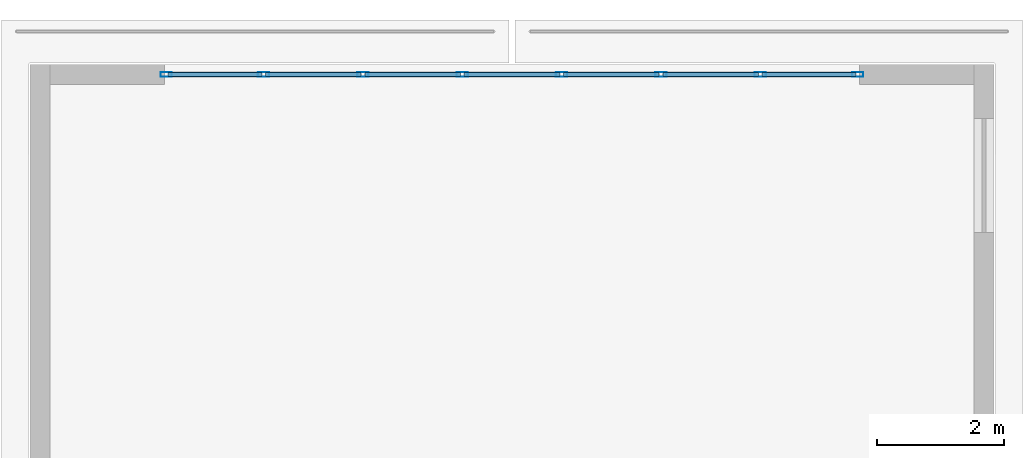
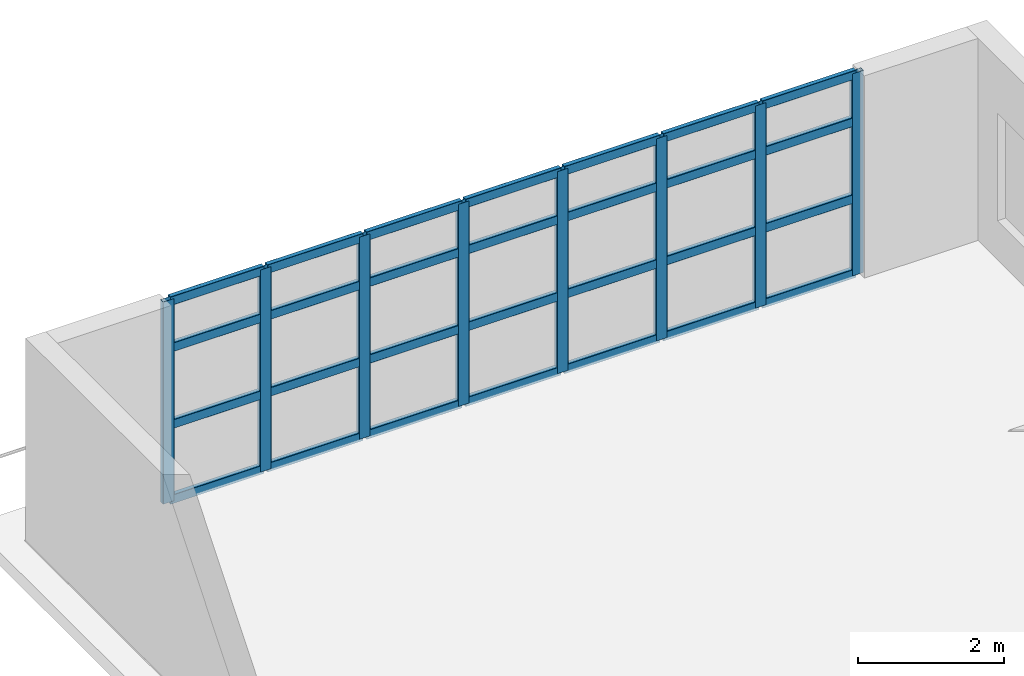
# One storey, part 12 of 24: 36 members, 1 element without a shape of its own.
"""IFC4 building model written with IfcOpenShell, lengths in metres."""

from ifc_helpers import new_model, si_unit, direction, frame, origin, origin_2d, place, context, subcontext, project, spatial, hollow_rectangle, extrude, material, layer, layer_set, material_profile, profile_set, type_object, element, aggregate, save


model = new_model("IFC4")

# Units and contexts
model_context = context("Model", 3, precision=1e-05, world=origin(), true_north=direction((0.0, 1.0)))
body_context = subcontext(model_context, "Body", "Model", "MODEL_VIEW")
ifc_project = project(units=[si_unit("LENGTHUNIT", "METRE"), si_unit("AREAUNIT", "SQUARE_METRE"), si_unit("VOLUMEUNIT", "CUBIC_METRE"), si_unit("PLANEANGLEUNIT", "RADIAN"), si_unit("MASSUNIT", "GRAM", prefix="KILO")], contexts=[model_context])

# Site, building, storey
site_placement = place(None, origin())
site = spatial("IfcSite", under=ifc_project, at=site_placement, CompositionType="ELEMENT")
building_placement = place(site_placement, origin())
building = spatial("IfcBuilding", under=site, at=building_placement, Name="Qingluan Cross Belvedere", CompositionType="ELEMENT")
storey_placement = place(building_placement, frame((0.0, 0.0, 19.199951171875)))
storey = spatial("IfcBuildingStorey", under=building, at=storey_placement, Name="L05", CompositionType="ELEMENT", Elevation=19.199951171875)

# Curtain wall, members
ifc_material_1 = material(Name="Thermally broken aluminium and Low-E glass", Category="aluminium")
ifc_layer = layer(ifc_material_1, 0.179931640625, Name="UnitisedCW_CascadeGarden")
ifc_layer_set = layer_set([ifc_layer], Name="Thermally broken aluminium and Low-E glass")
curtain_wall_type = type_object("IfcCurtainWallType", Name="UnitisedCW_CascadeGarden", PredefinedType="USERDEFINED", material=ifc_layer_set)
curtain_wall_placement = place(storey_placement, origin())
curtain_wall = element("IfcCurtainWall", 1, at=curtain_wall_placement, inside=storey, type_object=curtain_wall_type, Name="UnitisedCW_CascadeGarden run env:cw:L05:N", ObjectType="UNITISED CURTAIN WALL", PredefinedType="USERDEFINED")
ifc_material_2 = material(Name="Aluminium alloy 6063-T6", Category="aluminium")
ifc_material_profile_1 = material_profile(ifc_material_2, hollow_rectangle(XDim=0.074951171875, YDim=0.179931640625, WallThickness=0.00390625, InnerFilletRadius=0.00390625, OuterFilletRadius=0.008056640625, at=origin_2d()), Name="CWM180x75x4")
ifc_profile_set_1 = profile_set([ifc_material_profile_1], Name="Aluminium alloy 6063-T6")
member_type_1 = type_object("IfcMemberType", Name="CWMullion_180", PredefinedType="MULLION", material=ifc_profile_set_1)
member_1_placement = place(storey_placement, frame((-5.449951171875, 36.239990234375, 0.0), z_axis=(0.0, 0.0, 1.0), x_axis=(0.0, 1.0, 0.0)))
member_1 = element("IfcMember", 2, at=member_1_placement, type_object=member_type_1, Name="CW-P3 mullion 1", PredefinedType="MULLION", context=body_context, shape_type="SweptSolid", body=[
    extrude(hollow_rectangle(XDim=0.074951171875, YDim=0.179931640625, WallThickness=0.00390625, InnerFilletRadius=0.00390625, OuterFilletRadius=0.008056640625, at=origin_2d()), origin(), (0.0, 0.0, 1.0), 3.380126953125),
])
member_2_placement = place(storey_placement, frame((-3.914306640625, 36.239990234375, 0.0), z_axis=(0.0, 0.0, 1.0), x_axis=(0.0, 1.0, 0.0)))
member_2 = element("IfcMember", 3, at=member_2_placement, type_object=member_type_1, Name="CW-P3 mullion 2", PredefinedType="MULLION", context=body_context, shape_type="SweptSolid", body=[
    extrude(hollow_rectangle(XDim=0.074951171875, YDim=0.179931640625, WallThickness=0.00390625, InnerFilletRadius=0.00390625, OuterFilletRadius=0.008056640625, at=origin_2d()), origin(), (0.0, 0.0, 1.0), 3.380126953125),
])
member_3_placement = place(storey_placement, frame((-2.3486328125, 36.239990234375, 0.0), z_axis=(0.0, 0.0, 1.0), x_axis=(0.0, 1.0, 0.0)))
member_3 = element("IfcMember", 4, at=member_3_placement, type_object=member_type_1, Name="CW-P3 mullion 3", PredefinedType="MULLION", context=body_context, shape_type="SweptSolid", body=[
    extrude(hollow_rectangle(XDim=0.074951171875, YDim=0.179931640625, WallThickness=0.00390625, InnerFilletRadius=0.00390625, OuterFilletRadius=0.008056640625, at=origin_2d()), origin(), (0.0, 0.0, 1.0), 3.380126953125),
])
member_4_placement = place(storey_placement, frame((-0.782958984375, 36.239990234375, 0.0), z_axis=(0.0, 0.0, 1.0), x_axis=(0.0, 1.0, 0.0)))
member_4 = element("IfcMember", 5, at=member_4_placement, type_object=member_type_1, Name="CW-P3 mullion 4", PredefinedType="MULLION", context=body_context, shape_type="SweptSolid", body=[
    extrude(hollow_rectangle(XDim=0.074951171875, YDim=0.179931640625, WallThickness=0.00390625, InnerFilletRadius=0.00390625, OuterFilletRadius=0.008056640625, at=origin_2d()), origin(), (0.0, 0.0, 1.0), 3.380126953125),
])
member_5_placement = place(storey_placement, frame((0.782958984375, 36.239990234375, 0.0), z_axis=(0.0, 0.0, 1.0), x_axis=(0.0, 1.0, 0.0)))
member_5 = element("IfcMember", 6, at=member_5_placement, type_object=member_type_1, Name="CW-P3 mullion 5", PredefinedType="MULLION", context=body_context, shape_type="SweptSolid", body=[
    extrude(hollow_rectangle(XDim=0.074951171875, YDim=0.179931640625, WallThickness=0.00390625, InnerFilletRadius=0.00390625, OuterFilletRadius=0.008056640625, at=origin_2d()), origin(), (0.0, 0.0, 1.0), 3.380126953125),
])
member_6_placement = place(storey_placement, frame((2.3486328125, 36.239990234375, 0.0), z_axis=(0.0, 0.0, 1.0), x_axis=(0.0, 1.0, 0.0)))
member_6 = element("IfcMember", 7, at=member_6_placement, type_object=member_type_1, Name="CW-P3 mullion 6", PredefinedType="MULLION", context=body_context, shape_type="SweptSolid", body=[
    extrude(hollow_rectangle(XDim=0.074951171875, YDim=0.179931640625, WallThickness=0.00390625, InnerFilletRadius=0.00390625, OuterFilletRadius=0.008056640625, at=origin_2d()), origin(), (0.0, 0.0, 1.0), 3.380126953125),
])
member_7_placement = place(storey_placement, frame((3.914306640625, 36.239990234375, 0.0), z_axis=(0.0, 0.0, 1.0), x_axis=(0.0, 1.0, 0.0)))
member_7 = element("IfcMember", 8, at=member_7_placement, type_object=member_type_1, Name="CW-P3 mullion 7", PredefinedType="MULLION", context=body_context, shape_type="SweptSolid", body=[
    extrude(hollow_rectangle(XDim=0.074951171875, YDim=0.179931640625, WallThickness=0.00390625, InnerFilletRadius=0.00390625, OuterFilletRadius=0.008056640625, at=origin_2d()), origin(), (0.0, 0.0, 1.0), 3.380126953125),
])
member_8_placement = place(storey_placement, frame((5.449951171875, 36.239990234375, 0.0), z_axis=(0.0, 0.0, 1.0), x_axis=(0.0, 1.0, 0.0)))
member_8 = element("IfcMember", 9, at=member_8_placement, type_object=member_type_1, Name="CW-P3 mullion 8", PredefinedType="MULLION", context=body_context, shape_type="SweptSolid", body=[
    extrude(hollow_rectangle(XDim=0.074951171875, YDim=0.179931640625, WallThickness=0.00390625, InnerFilletRadius=0.00390625, OuterFilletRadius=0.008056640625, at=origin_2d()), origin(), (0.0, 0.0, 1.0), 3.380126953125),
])
ifc_material_3 = material(Name="Aluminium alloy 6063-T6", Category="aluminium")
ifc_material_profile_2 = material_profile(ifc_material_3, hollow_rectangle(XDim=0.074951171875, YDim=0.14990234375, WallThickness=0.00390625, InnerFilletRadius=0.00390625, OuterFilletRadius=0.008056640625, at=origin_2d()), Name="CWT150x75x4")
ifc_profile_set_2 = profile_set([ifc_material_profile_2], Name="Aluminium alloy 6063-T6")
member_type_2 = type_object("IfcMemberType", Name="CWTransom_150", PredefinedType="USERDEFINED", material=ifc_profile_set_2)
member_9_placement = place(storey_placement, frame((-5.419921875, 36.239990234375, 0.030029296875), z_axis=(1.0, 0.0, 0.0), x_axis=(0.0, 1.0, 0.0)))
member_9 = element("IfcMember", 10, at=member_9_placement, type_object=member_type_2, Name="CW-P3 transom 1.1", ObjectType="TRANSOM", PredefinedType="USERDEFINED", context=body_context, shape_type="SweptSolid", body=[
    extrude(hollow_rectangle(XDim=0.074951171875, YDim=0.14990234375, WallThickness=0.00390625, InnerFilletRadius=0.00390625, OuterFilletRadius=0.008056640625, at=origin_2d()), origin(), (0.0, 0.0, 1.0), 1.4755859375),
])
member_10_placement = place(storey_placement, frame((-5.419921875, 36.239990234375, 1.283935546875), z_axis=(1.0, 0.0, 0.0), x_axis=(0.0, 1.0, 0.0)))
member_10 = element("IfcMember", 11, at=member_10_placement, type_object=member_type_2, Name="CW-P3 transom 1.2", ObjectType="TRANSOM", PredefinedType="USERDEFINED", context=body_context, shape_type="SweptSolid", body=[
    extrude(hollow_rectangle(XDim=0.074951171875, YDim=0.14990234375, WallThickness=0.00390625, InnerFilletRadius=0.00390625, OuterFilletRadius=0.008056640625, at=origin_2d()), origin(), (0.0, 0.0, 1.0), 1.4755859375),
])
member_11_placement = place(storey_placement, frame((-5.419921875, 36.239990234375, 2.569091796875), z_axis=(1.0, 0.0, 0.0), x_axis=(0.0, 1.0, 0.0)))
member_11 = element("IfcMember", 12, at=member_11_placement, type_object=member_type_2, Name="CW-P3 transom 1.3", ObjectType="TRANSOM", PredefinedType="USERDEFINED", context=body_context, shape_type="SweptSolid", body=[
    extrude(hollow_rectangle(XDim=0.074951171875, YDim=0.14990234375, WallThickness=0.00390625, InnerFilletRadius=0.00390625, OuterFilletRadius=0.008056640625, at=origin_2d()), origin(), (0.0, 0.0, 1.0), 1.4755859375),
])
member_12_placement = place(storey_placement, frame((-5.419921875, 36.239990234375, 3.35009765625), z_axis=(1.0, 0.0, 0.0), x_axis=(0.0, 1.0, 0.0)))
member_12 = element("IfcMember", 13, at=member_12_placement, type_object=member_type_2, Name="CW-P3 transom 1.4", ObjectType="TRANSOM", PredefinedType="USERDEFINED", context=body_context, shape_type="SweptSolid", body=[
    extrude(hollow_rectangle(XDim=0.074951171875, YDim=0.14990234375, WallThickness=0.00390625, InnerFilletRadius=0.00390625, OuterFilletRadius=0.008056640625, at=origin_2d()), origin(), (0.0, 0.0, 1.0), 1.4755859375),
])
member_13_placement = place(storey_placement, frame((-3.88427734375, 36.239990234375, 0.030029296875), z_axis=(1.0, 0.0, 0.0), x_axis=(0.0, 1.0, 0.0)))
member_13 = element("IfcMember", 14, at=member_13_placement, type_object=member_type_2, Name="CW-P3 transom 2.1", ObjectType="TRANSOM", PredefinedType="USERDEFINED", context=body_context, shape_type="SweptSolid", body=[
    extrude(hollow_rectangle(XDim=0.074951171875, YDim=0.14990234375, WallThickness=0.00390625, InnerFilletRadius=0.00390625, OuterFilletRadius=0.008056640625, at=origin_2d()), origin(), (0.0, 0.0, 1.0), 1.505615234375),
])
member_14_placement = place(storey_placement, frame((-3.88427734375, 36.239990234375, 1.283935546875), z_axis=(1.0, 0.0, 0.0), x_axis=(0.0, 1.0, 0.0)))
member_14 = element("IfcMember", 15, at=member_14_placement, type_object=member_type_2, Name="CW-P3 transom 2.2", ObjectType="TRANSOM", PredefinedType="USERDEFINED", context=body_context, shape_type="SweptSolid", body=[
    extrude(hollow_rectangle(XDim=0.074951171875, YDim=0.14990234375, WallThickness=0.00390625, InnerFilletRadius=0.00390625, OuterFilletRadius=0.008056640625, at=origin_2d()), origin(), (0.0, 0.0, 1.0), 1.505615234375),
])
member_15_placement = place(storey_placement, frame((-3.88427734375, 36.239990234375, 2.569091796875), z_axis=(1.0, 0.0, 0.0), x_axis=(0.0, 1.0, 0.0)))
member_15 = element("IfcMember", 16, at=member_15_placement, type_object=member_type_2, Name="CW-P3 transom 2.3", ObjectType="TRANSOM", PredefinedType="USERDEFINED", context=body_context, shape_type="SweptSolid", body=[
    extrude(hollow_rectangle(XDim=0.074951171875, YDim=0.14990234375, WallThickness=0.00390625, InnerFilletRadius=0.00390625, OuterFilletRadius=0.008056640625, at=origin_2d()), origin(), (0.0, 0.0, 1.0), 1.505615234375),
])
member_16_placement = place(storey_placement, frame((-3.88427734375, 36.239990234375, 3.35009765625), z_axis=(1.0, 0.0, 0.0), x_axis=(0.0, 1.0, 0.0)))
member_16 = element("IfcMember", 17, at=member_16_placement, type_object=member_type_2, Name="CW-P3 transom 2.4", ObjectType="TRANSOM", PredefinedType="USERDEFINED", context=body_context, shape_type="SweptSolid", body=[
    extrude(hollow_rectangle(XDim=0.074951171875, YDim=0.14990234375, WallThickness=0.00390625, InnerFilletRadius=0.00390625, OuterFilletRadius=0.008056640625, at=origin_2d()), origin(), (0.0, 0.0, 1.0), 1.505615234375),
])
member_17_placement = place(storey_placement, frame((-2.318603515625, 36.239990234375, 0.030029296875), z_axis=(1.0, 0.0, 0.0), x_axis=(0.0, 1.0, 0.0)))
member_17 = element("IfcMember", 18, at=member_17_placement, type_object=member_type_2, Name="CW-P3 transom 3.1", ObjectType="TRANSOM", PredefinedType="USERDEFINED", context=body_context, shape_type="SweptSolid", body=[
    extrude(hollow_rectangle(XDim=0.074951171875, YDim=0.14990234375, WallThickness=0.00390625, InnerFilletRadius=0.00390625, OuterFilletRadius=0.008056640625, at=origin_2d()), origin(), (0.0, 0.0, 1.0), 1.505859375),
])
member_18_placement = place(storey_placement, frame((-2.318603515625, 36.239990234375, 1.283935546875), z_axis=(1.0, 0.0, 0.0), x_axis=(0.0, 1.0, 0.0)))
member_18 = element("IfcMember", 19, at=member_18_placement, type_object=member_type_2, Name="CW-P3 transom 3.2", ObjectType="TRANSOM", PredefinedType="USERDEFINED", context=body_context, shape_type="SweptSolid", body=[
    extrude(hollow_rectangle(XDim=0.074951171875, YDim=0.14990234375, WallThickness=0.00390625, InnerFilletRadius=0.00390625, OuterFilletRadius=0.008056640625, at=origin_2d()), origin(), (0.0, 0.0, 1.0), 1.505859375),
])
member_19_placement = place(storey_placement, frame((-2.318603515625, 36.239990234375, 2.569091796875), z_axis=(1.0, 0.0, 0.0), x_axis=(0.0, 1.0, 0.0)))
member_19 = element("IfcMember", 20, at=member_19_placement, type_object=member_type_2, Name="CW-P3 transom 3.3", ObjectType="TRANSOM", PredefinedType="USERDEFINED", context=body_context, shape_type="SweptSolid", body=[
    extrude(hollow_rectangle(XDim=0.074951171875, YDim=0.14990234375, WallThickness=0.00390625, InnerFilletRadius=0.00390625, OuterFilletRadius=0.008056640625, at=origin_2d()), origin(), (0.0, 0.0, 1.0), 1.505859375),
])
member_20_placement = place(storey_placement, frame((-2.318603515625, 36.239990234375, 3.35009765625), z_axis=(1.0, 0.0, 0.0), x_axis=(0.0, 1.0, 0.0)))
member_20 = element("IfcMember", 21, at=member_20_placement, type_object=member_type_2, Name="CW-P3 transom 3.4", ObjectType="TRANSOM", PredefinedType="USERDEFINED", context=body_context, shape_type="SweptSolid", body=[
    extrude(hollow_rectangle(XDim=0.074951171875, YDim=0.14990234375, WallThickness=0.00390625, InnerFilletRadius=0.00390625, OuterFilletRadius=0.008056640625, at=origin_2d()), origin(), (0.0, 0.0, 1.0), 1.505859375),
])
member_21_placement = place(storey_placement, frame((-0.7529296875, 36.239990234375, 0.030029296875), z_axis=(1.0, 0.0, 0.0), x_axis=(0.0, 1.0, 0.0)))
member_21 = element("IfcMember", 22, at=member_21_placement, type_object=member_type_2, Name="CW-P3 transom 4.1", ObjectType="TRANSOM", PredefinedType="USERDEFINED", context=body_context, shape_type="SweptSolid", body=[
    extrude(hollow_rectangle(XDim=0.074951171875, YDim=0.14990234375, WallThickness=0.00390625, InnerFilletRadius=0.00390625, OuterFilletRadius=0.008056640625, at=origin_2d()), origin(), (0.0, 0.0, 1.0), 1.505859375),
])
member_22_placement = place(storey_placement, frame((-0.7529296875, 36.239990234375, 1.283935546875), z_axis=(1.0, 0.0, 0.0), x_axis=(0.0, 1.0, 0.0)))
member_22 = element("IfcMember", 23, at=member_22_placement, type_object=member_type_2, Name="CW-P3 transom 4.2", ObjectType="TRANSOM", PredefinedType="USERDEFINED", context=body_context, shape_type="SweptSolid", body=[
    extrude(hollow_rectangle(XDim=0.074951171875, YDim=0.14990234375, WallThickness=0.00390625, InnerFilletRadius=0.00390625, OuterFilletRadius=0.008056640625, at=origin_2d()), origin(), (0.0, 0.0, 1.0), 1.505859375),
])
member_23_placement = place(storey_placement, frame((-0.7529296875, 36.239990234375, 2.569091796875), z_axis=(1.0, 0.0, 0.0), x_axis=(0.0, 1.0, 0.0)))
member_23 = element("IfcMember", 24, at=member_23_placement, type_object=member_type_2, Name="CW-P3 transom 4.3", ObjectType="TRANSOM", PredefinedType="USERDEFINED", context=body_context, shape_type="SweptSolid", body=[
    extrude(hollow_rectangle(XDim=0.074951171875, YDim=0.14990234375, WallThickness=0.00390625, InnerFilletRadius=0.00390625, OuterFilletRadius=0.008056640625, at=origin_2d()), origin(), (0.0, 0.0, 1.0), 1.505859375),
])
member_24_placement = place(storey_placement, frame((-0.7529296875, 36.239990234375, 3.35009765625), z_axis=(1.0, 0.0, 0.0), x_axis=(0.0, 1.0, 0.0)))
member_24 = element("IfcMember", 25, at=member_24_placement, type_object=member_type_2, Name="CW-P3 transom 4.4", ObjectType="TRANSOM", PredefinedType="USERDEFINED", context=body_context, shape_type="SweptSolid", body=[
    extrude(hollow_rectangle(XDim=0.074951171875, YDim=0.14990234375, WallThickness=0.00390625, InnerFilletRadius=0.00390625, OuterFilletRadius=0.008056640625, at=origin_2d()), origin(), (0.0, 0.0, 1.0), 1.505859375),
])
member_25_placement = place(storey_placement, frame((0.812744140625, 36.239990234375, 0.030029296875), z_axis=(1.0, 0.0, 0.0), x_axis=(0.0, 1.0, 0.0)))
member_25 = element("IfcMember", 26, at=member_25_placement, type_object=member_type_2, Name="CW-P3 transom 5.1", ObjectType="TRANSOM", PredefinedType="USERDEFINED", context=body_context, shape_type="SweptSolid", body=[
    extrude(hollow_rectangle(XDim=0.074951171875, YDim=0.14990234375, WallThickness=0.00390625, InnerFilletRadius=0.00390625, OuterFilletRadius=0.008056640625, at=origin_2d()), origin(), (0.0, 0.0, 1.0), 1.505859375),
])
member_26_placement = place(storey_placement, frame((0.812744140625, 36.239990234375, 1.283935546875), z_axis=(1.0, 0.0, 0.0), x_axis=(0.0, 1.0, 0.0)))
member_26 = element("IfcMember", 27, at=member_26_placement, type_object=member_type_2, Name="CW-P3 transom 5.2", ObjectType="TRANSOM", PredefinedType="USERDEFINED", context=body_context, shape_type="SweptSolid", body=[
    extrude(hollow_rectangle(XDim=0.074951171875, YDim=0.14990234375, WallThickness=0.00390625, InnerFilletRadius=0.00390625, OuterFilletRadius=0.008056640625, at=origin_2d()), origin(), (0.0, 0.0, 1.0), 1.505859375),
])
member_27_placement = place(storey_placement, frame((0.812744140625, 36.239990234375, 2.569091796875), z_axis=(1.0, 0.0, 0.0), x_axis=(0.0, 1.0, 0.0)))
member_27 = element("IfcMember", 28, at=member_27_placement, type_object=member_type_2, Name="CW-P3 transom 5.3", ObjectType="TRANSOM", PredefinedType="USERDEFINED", context=body_context, shape_type="SweptSolid", body=[
    extrude(hollow_rectangle(XDim=0.074951171875, YDim=0.14990234375, WallThickness=0.00390625, InnerFilletRadius=0.00390625, OuterFilletRadius=0.008056640625, at=origin_2d()), origin(), (0.0, 0.0, 1.0), 1.505859375),
])
member_28_placement = place(storey_placement, frame((0.812744140625, 36.239990234375, 3.35009765625), z_axis=(1.0, 0.0, 0.0), x_axis=(0.0, 1.0, 0.0)))
member_28 = element("IfcMember", 29, at=member_28_placement, type_object=member_type_2, Name="CW-P3 transom 5.4", ObjectType="TRANSOM", PredefinedType="USERDEFINED", context=body_context, shape_type="SweptSolid", body=[
    extrude(hollow_rectangle(XDim=0.074951171875, YDim=0.14990234375, WallThickness=0.00390625, InnerFilletRadius=0.00390625, OuterFilletRadius=0.008056640625, at=origin_2d()), origin(), (0.0, 0.0, 1.0), 1.505859375),
])
member_29_placement = place(storey_placement, frame((2.378662109375, 36.239990234375, 0.030029296875), z_axis=(1.0, 0.0, 0.0), x_axis=(0.0, 1.0, 0.0)))
member_29 = element("IfcMember", 30, at=member_29_placement, type_object=member_type_2, Name="CW-P3 transom 6.1", ObjectType="TRANSOM", PredefinedType="USERDEFINED", context=body_context, shape_type="SweptSolid", body=[
    extrude(hollow_rectangle(XDim=0.074951171875, YDim=0.14990234375, WallThickness=0.00390625, InnerFilletRadius=0.00390625, OuterFilletRadius=0.008056640625, at=origin_2d()), origin(), (0.0, 0.0, 1.0), 1.505615234375),
])
member_30_placement = place(storey_placement, frame((2.378662109375, 36.239990234375, 1.283935546875), z_axis=(1.0, 0.0, 0.0), x_axis=(0.0, 1.0, 0.0)))
member_30 = element("IfcMember", 31, at=member_30_placement, type_object=member_type_2, Name="CW-P3 transom 6.2", ObjectType="TRANSOM", PredefinedType="USERDEFINED", context=body_context, shape_type="SweptSolid", body=[
    extrude(hollow_rectangle(XDim=0.074951171875, YDim=0.14990234375, WallThickness=0.00390625, InnerFilletRadius=0.00390625, OuterFilletRadius=0.008056640625, at=origin_2d()), origin(), (0.0, 0.0, 1.0), 1.505615234375),
])
member_31_placement = place(storey_placement, frame((2.378662109375, 36.239990234375, 2.569091796875), z_axis=(1.0, 0.0, 0.0), x_axis=(0.0, 1.0, 0.0)))
member_31 = element("IfcMember", 32, at=member_31_placement, type_object=member_type_2, Name="CW-P3 transom 6.3", ObjectType="TRANSOM", PredefinedType="USERDEFINED", context=body_context, shape_type="SweptSolid", body=[
    extrude(hollow_rectangle(XDim=0.074951171875, YDim=0.14990234375, WallThickness=0.00390625, InnerFilletRadius=0.00390625, OuterFilletRadius=0.008056640625, at=origin_2d()), origin(), (0.0, 0.0, 1.0), 1.505615234375),
])
member_32_placement = place(storey_placement, frame((2.378662109375, 36.239990234375, 3.35009765625), z_axis=(1.0, 0.0, 0.0), x_axis=(0.0, 1.0, 0.0)))
member_32 = element("IfcMember", 33, at=member_32_placement, type_object=member_type_2, Name="CW-P3 transom 6.4", ObjectType="TRANSOM", PredefinedType="USERDEFINED", context=body_context, shape_type="SweptSolid", body=[
    extrude(hollow_rectangle(XDim=0.074951171875, YDim=0.14990234375, WallThickness=0.00390625, InnerFilletRadius=0.00390625, OuterFilletRadius=0.008056640625, at=origin_2d()), origin(), (0.0, 0.0, 1.0), 1.505615234375),
])
member_33_placement = place(storey_placement, frame((3.9443359375, 36.239990234375, 0.030029296875), z_axis=(1.0, 0.0, 0.0), x_axis=(0.0, 1.0, 0.0)))
member_33 = element("IfcMember", 34, at=member_33_placement, type_object=member_type_2, Name="CW-P3 transom 7.1", ObjectType="TRANSOM", PredefinedType="USERDEFINED", context=body_context, shape_type="SweptSolid", body=[
    extrude(hollow_rectangle(XDim=0.074951171875, YDim=0.14990234375, WallThickness=0.00390625, InnerFilletRadius=0.00390625, OuterFilletRadius=0.008056640625, at=origin_2d()), origin(), (0.0, 0.0, 1.0), 1.4755859375),
])
member_34_placement = place(storey_placement, frame((3.9443359375, 36.239990234375, 1.283935546875), z_axis=(1.0, 0.0, 0.0), x_axis=(0.0, 1.0, 0.0)))
member_34 = element("IfcMember", 35, at=member_34_placement, type_object=member_type_2, Name="CW-P3 transom 7.2", ObjectType="TRANSOM", PredefinedType="USERDEFINED", context=body_context, shape_type="SweptSolid", body=[
    extrude(hollow_rectangle(XDim=0.074951171875, YDim=0.14990234375, WallThickness=0.00390625, InnerFilletRadius=0.00390625, OuterFilletRadius=0.008056640625, at=origin_2d()), origin(), (0.0, 0.0, 1.0), 1.4755859375),
])
member_35_placement = place(storey_placement, frame((3.9443359375, 36.239990234375, 2.569091796875), z_axis=(1.0, 0.0, 0.0), x_axis=(0.0, 1.0, 0.0)))
member_35 = element("IfcMember", 36, at=member_35_placement, type_object=member_type_2, Name="CW-P3 transom 7.3", ObjectType="TRANSOM", PredefinedType="USERDEFINED", context=body_context, shape_type="SweptSolid", body=[
    extrude(hollow_rectangle(XDim=0.074951171875, YDim=0.14990234375, WallThickness=0.00390625, InnerFilletRadius=0.00390625, OuterFilletRadius=0.008056640625, at=origin_2d()), origin(), (0.0, 0.0, 1.0), 1.4755859375),
])
member_36_placement = place(storey_placement, frame((3.9443359375, 36.239990234375, 3.35009765625), z_axis=(1.0, 0.0, 0.0), x_axis=(0.0, 1.0, 0.0)))
member_36 = element("IfcMember", 37, at=member_36_placement, type_object=member_type_2, Name="CW-P3 transom 7.4", ObjectType="TRANSOM", PredefinedType="USERDEFINED", context=body_context, shape_type="SweptSolid", body=[
    extrude(hollow_rectangle(XDim=0.074951171875, YDim=0.14990234375, WallThickness=0.00390625, InnerFilletRadius=0.00390625, OuterFilletRadius=0.008056640625, at=origin_2d()), origin(), (0.0, 0.0, 1.0), 1.4755859375),
])
aggregate(curtain_wall, [member_1, member_2, member_3, member_4, member_5, member_6, member_7, member_8, member_9, member_10, member_11, member_12, member_13, member_14, member_15, member_16, member_17, member_18, member_19, member_20, member_21, member_22, member_23, member_24, member_25, member_26, member_27, member_28, member_29, member_30, member_31, member_32, member_33, member_34, member_35, member_36])

save(model, "model.ifc")
